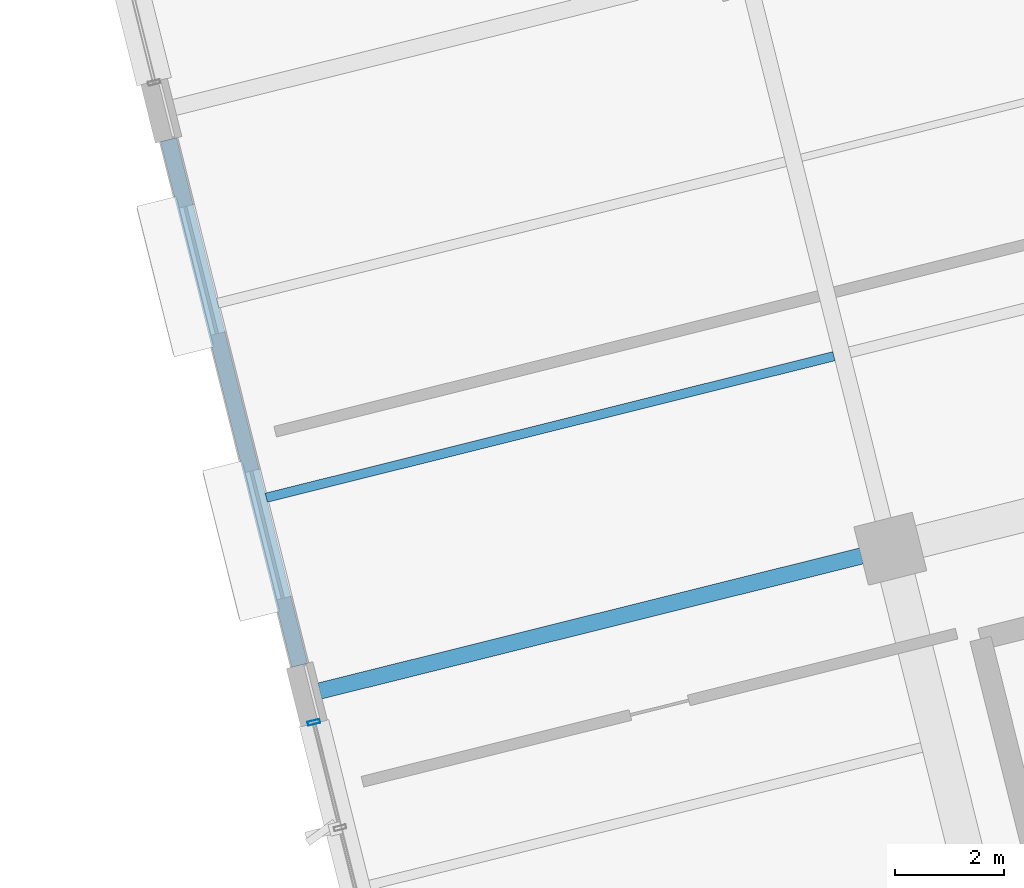
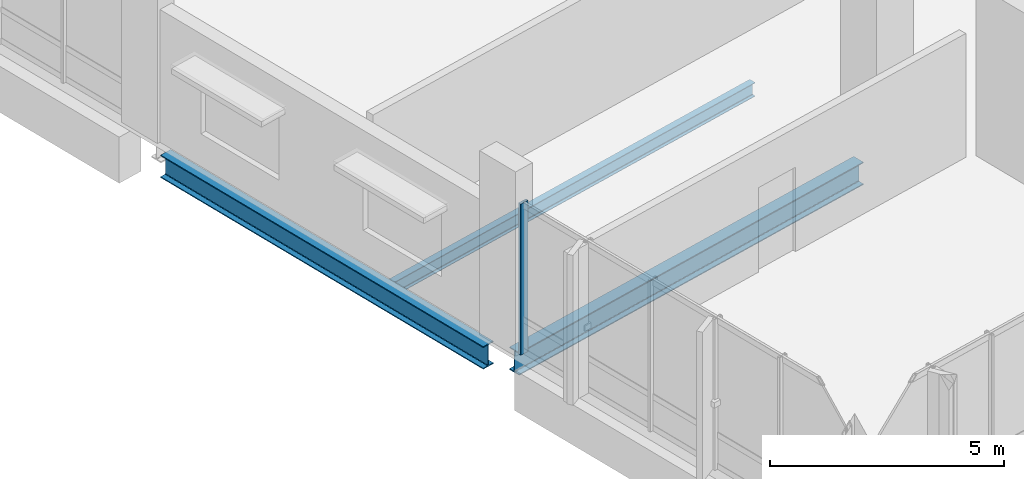
# One storey, part 60 of 137: 3 beams, 1 member, 1 element without a shape of its own.
"""IFC4 building model written with IfcOpenShell, lengths in metres."""

from ifc_helpers import new_model, si_unit, direction, frame, origin, origin_2d, place, context, subcontext, project, spatial, hollow_rectangle, i_section, extrude, material, layer, layer_set, material_profile, profile_set, type_object, element, aggregate, save


model = new_model("IFC4")

# Units and contexts
model_context = context("Model", 3, precision=1e-05, world=origin(), true_north=direction((0.0, 1.0)))
body_context = subcontext(model_context, "Body", "Model", "MODEL_VIEW")
ifc_project = project(units=[si_unit("LENGTHUNIT", "METRE"), si_unit("AREAUNIT", "SQUARE_METRE"), si_unit("VOLUMEUNIT", "CUBIC_METRE"), si_unit("PLANEANGLEUNIT", "RADIAN"), si_unit("MASSUNIT", "GRAM", prefix="KILO")], contexts=[model_context])

# Site, building, storey
site_placement = place(None, origin())
site = spatial("IfcSite", under=ifc_project, at=site_placement, CompositionType="ELEMENT")
building_placement = place(site_placement, origin())
building = spatial("IfcBuilding", under=site, at=building_placement, Name="Khorjan Park Terminus", CompositionType="ELEMENT")
storey_placement = place(building_placement, frame((0.0, 0.0, 11.4)))
storey = spatial("IfcBuildingStorey", under=building, at=storey_placement, Name="L02", CompositionType="ELEMENT", Elevation=11.4)

# Beams
ifc_material_1 = material(Name="Steel S355", Category="steel")
ifc_material_profile_1 = material_profile(ifc_material_1, i_section(OverallWidth=0.3, OverallDepth=0.59, WebThickness=0.013, FlangeThickness=0.025, FilletRadius=0.027, at=origin_2d()), Name="HEA 600")
ifc_profile_set_1 = profile_set([ifc_material_profile_1], Name="Steel S355")
beam_type_1 = type_object("IfcBeamType", Name="BM-HEA600", PredefinedType="BEAM", material=ifc_profile_set_1)
beam_1_placement = place(storey_placement, frame((163.5766, 12.7325, -0.645), z_axis=(0.970296133805, 0.241920261086, 0.0), x_axis=(-0.241920261086, 0.970296133805, 0.0)))
element("IfcBeam", 1, at=beam_1_placement, inside=storey, type_object=beam_type_1, Name="Primary skew-grid floor girder SB-A60 (L02)", PredefinedType="BEAM", context=body_context, shape_type="SweptSolid", body=[
    extrude(i_section(OverallWidth=0.3, OverallDepth=0.59, WebThickness=0.013, FlangeThickness=0.025, FilletRadius=0.027, at=origin_2d()), origin(), (0.0, 0.0, 1.0), 10.21),
])
beam_2_placement = place(storey_placement, frame((163.207, 13.2021, -0.645), z_axis=(-0.241918252798, 0.970296634521, 0.0), x_axis=(-0.970296634521, -0.241918252798, 0.0)))
element("IfcBeam", 2, at=beam_2_placement, inside=storey, type_object=beam_type_1, Name="Primary skew-grid floor girder SB-A60 (L02)", PredefinedType="BEAM", context=body_context, shape_type="SweptSolid", body=[
    extrude(i_section(OverallWidth=0.3, OverallDepth=0.59, WebThickness=0.013, FlangeThickness=0.025, FilletRadius=0.027, at=origin_2d()), origin(), (0.0, 0.0, 1.0), 9.91),
])
ifc_material_profile_2 = material_profile(ifc_material_1, i_section(OverallWidth=0.17, OverallDepth=0.36, WebThickness=0.008, FlangeThickness=0.0127, FilletRadius=0.018, at=origin_2d()), Name="IPE 360")
ifc_profile_set_2 = profile_set([ifc_material_profile_2], Name="Steel S355")
beam_type_2 = type_object("IfcBeamType", Name="JS-IPE360", PredefinedType="JOIST", material=ifc_profile_set_2)
beam_3_placement = place(storey_placement, frame((162.5973, 16.2673, -0.53), z_axis=(0.970295138144, 0.241924254455, 0.0), x_axis=(-0.241924254455, 0.970295138144, 0.0)))
element("IfcBeam", 3, at=beam_3_placement, inside=storey, type_object=beam_type_2, Name="Secondary composite floor joist SJ-36 (L02)", PredefinedType="JOIST", context=body_context, shape_type="SweptSolid", body=[
    extrude(i_section(OverallWidth=0.17, OverallDepth=0.36, WebThickness=0.008, FlangeThickness=0.0127, FilletRadius=0.018, at=origin_2d()), origin(), (0.0, 0.0, 1.0), 10.7),
])

# Curtain wall, member
ifc_material_2 = material(Name="Anodized Bronze Aluminium", Category="aluminium")
ifc_layer = layer(ifc_material_2, 0.22)
ifc_layer_set = layer_set([ifc_layer], Name="Anodized Bronze Aluminium")
curtain_wall_type = type_object("IfcCurtainWallType", Name="CW-OPS-B", PredefinedType="NOTDEFINED", material=ifc_layer_set)
curtain_wall_placement = place(storey_placement, origin())
curtain_wall = element("IfcCurtainWall", 4, at=curtain_wall_placement, inside=storey, type_object=curtain_wall_type, Name="Unitized curtain wall CW-B (CW-V5-W-L02-B03)", PredefinedType="NOTDEFINED")
ifc_material_profile_3 = material_profile(ifc_material_2, hollow_rectangle(XDim=0.075, YDim=0.225, WallThickness=0.005, InnerFilletRadius=0.005, OuterFilletRadius=0.01, at=origin_2d()), Name="ALM 75x225x5")
ifc_profile_set_3 = profile_set([ifc_material_profile_3], Name="Anodized Bronze Aluminium")
member_type = type_object("IfcMemberType", Name="ML-ALM-225", PredefinedType="MULLION", material=ifc_profile_set_3)
member_placement = place(storey_placement, frame((163.4672, 12.1587, -0.035), z_axis=(0.0, 0.0, 1.0), x_axis=(0.24192009683, -0.970296174758, 0.0)))
member = element("IfcMember", 5, at=member_placement, type_object=member_type, Name="Curtain-wall mullion ML-22 (CW-V5-W-L02-B03-0)", PredefinedType="MULLION", context=body_context, shape_type="SweptSolid", body=[
    extrude(hollow_rectangle(XDim=0.075, YDim=0.225, WallThickness=0.005, InnerFilletRadius=0.005, OuterFilletRadius=0.01, at=origin_2d()), origin(), (0.0, 0.0, 1.0), 3.935),
])
aggregate(curtain_wall, [member])

save(model, "model.ifc")
